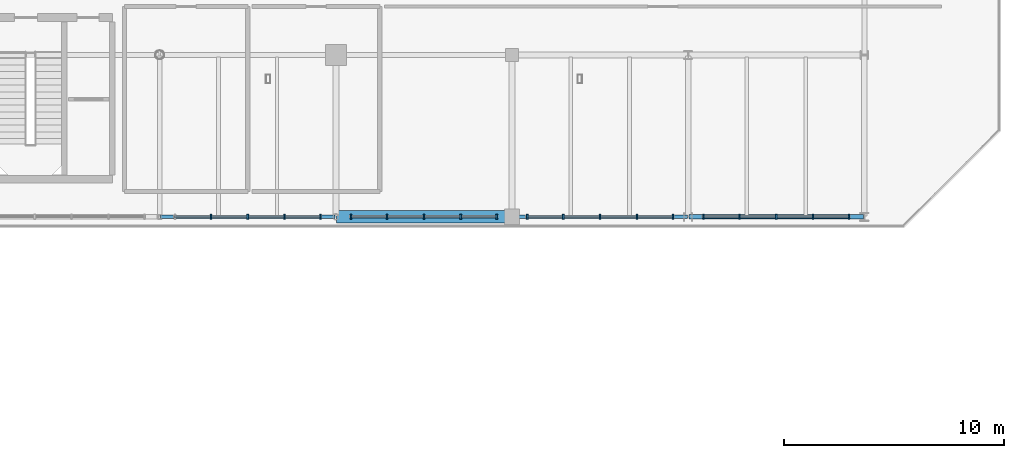
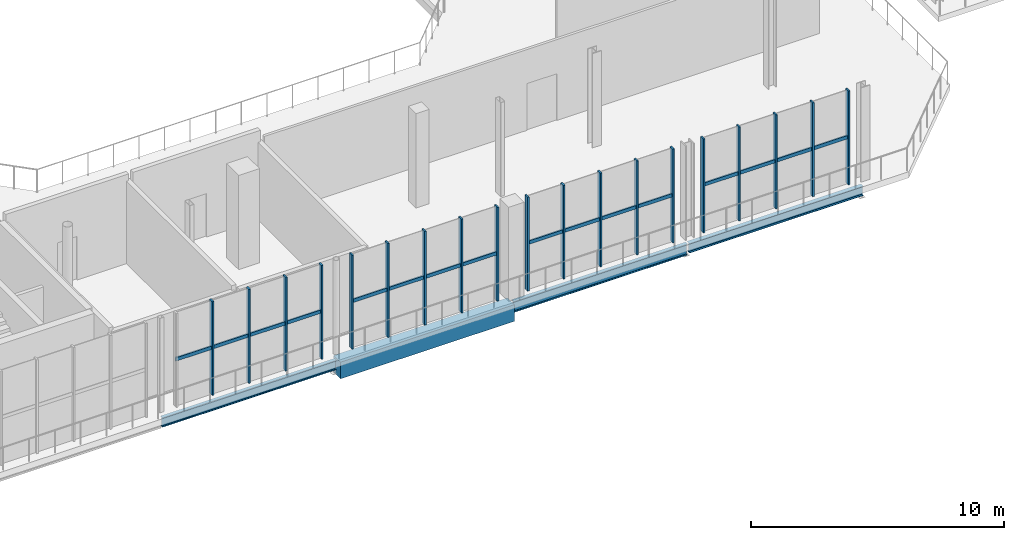
# One storey, part 28 of 70: 35 members, 4 beams, 4 elements without a shape of their own.
"""IFC4 building model written with IfcOpenShell, lengths in metres."""

from ifc_helpers import new_model, si_unit, direction, frame, origin, origin_2d, place, context, subcontext, project, spatial, rectangle, i_section, extrude, material, material_profile, profile_set, type_object, element, aggregate, save


model = new_model("IFC4")

# Units and contexts
model_context = context("Model", 3, precision=1e-05, world=origin(), true_north=direction((0.0, 1.0)))
body_context = subcontext(model_context, "Body", "Model", "MODEL_VIEW")
ifc_project = project(units=[si_unit("LENGTHUNIT", "METRE"), si_unit("AREAUNIT", "SQUARE_METRE"), si_unit("VOLUMEUNIT", "CUBIC_METRE"), si_unit("PLANEANGLEUNIT", "RADIAN"), si_unit("MASSUNIT", "GRAM", prefix="KILO")], contexts=[model_context])

# Site, building, storey
site_placement = place(None, origin())
site = spatial("IfcSite", under=ifc_project, at=site_placement, CompositionType="ELEMENT")
building_placement = place(site_placement, origin())
building = spatial("IfcBuilding", under=site, at=building_placement, Name="Brisemont Oceanarium", CompositionType="ELEMENT")
storey_placement = place(building_placement, frame((0.0, 0.0, 10.199951171875)))
storey = spatial("IfcBuildingStorey", under=building, at=storey_placement, Name="L02", CompositionType="ELEMENT", Elevation=10.199951171875)

# Beams
ifc_material_1 = material(Name="Concrete C40/50", Category="concrete")
ifc_material_profile_1 = material_profile(ifc_material_1, rectangle(XDim=0.550048828125, YDim=0.800048828125, at=origin_2d()), Name="RC-BM-550X800")
ifc_profile_set_1 = profile_set([ifc_material_profile_1], Name="Concrete C40/50")
beam_type_1 = type_object("IfcBeamType", Name="BM-RC550X800", PredefinedType="SPANDREL", material=ifc_profile_set_1)
beam_1_placement = place(storey_placement, frame((80.0400390625, 32.64990234375, -0.699951171875), z_axis=(1.0, 0.0, 0.0), x_axis=(0.0, 1.0, 0.0)))
element("IfcBeam", 1, at=beam_1_placement, inside=storey, type_object=beam_type_1, Name="V1 L02 EW girder", PredefinedType="SPANDREL", context=body_context, shape_type="SweptSolid", body=[
    extrude(rectangle(XDim=0.550048828125, YDim=0.800048828125, at=origin_2d()), origin(), (0.0, 0.0, 1.0), 7.919921875),
])
ifc_material_2 = material(Name="Structural Steel ASTM A992 Gr.50", Category="steel")
ifc_material_profile_2 = material_profile(ifc_material_2, i_section(OverallWidth=0.154052734375, OverallDepth=0.458984375, WebThickness=0.009033203125, FlangeThickness=0.015380859375, FilletRadius=0.010986328125, at=origin_2d()), Name="W18X46")
ifc_profile_set_2 = profile_set([ifc_material_profile_2], Name="Structural Steel ASTM A992 Gr.50")
beam_type_2 = type_object("IfcBeamType", Name="BM-W18X46", PredefinedType="SPANDREL", material=ifc_profile_set_2)
beam_2_placement = place(storey_placement, frame((72.0400390625, 32.64990234375, -0.529541015625), z_axis=(1.0, 0.0, 0.0), x_axis=(0.0, 1.0, 0.0)))
element("IfcBeam", 2, at=beam_2_placement, inside=storey, type_object=beam_type_2, Name="V1 L02 EW girder", PredefinedType="SPANDREL", context=body_context, shape_type="SweptSolid", body=[
    extrude(i_section(OverallWidth=0.154052734375, OverallDepth=0.458984375, WebThickness=0.009033203125, FlangeThickness=0.015380859375, FilletRadius=0.010986328125, at=origin_2d()), origin(), (0.0, 0.0, 1.0), 7.919921875),
])
ifc_material_3 = material(Name="Structural Steel ASTM A992 Gr.50", Category="steel")
ifc_material_profile_3 = material_profile(ifc_material_3, i_section(OverallWidth=0.19091796875, OverallDepth=0.4599609375, WebThickness=0.010009765625, FlangeThickness=0.01611328125, FilletRadius=0.010986328125, at=origin_2d()), Name="W18X55")
ifc_profile_set_3 = profile_set([ifc_material_profile_3], Name="Structural Steel ASTM A992 Gr.50")
beam_type_3 = type_object("IfcBeamType", Name="BM-W18X55", PredefinedType="SPANDREL", material=ifc_profile_set_3)
beam_3_placement = place(storey_placement, frame((96.0400390625, 32.64990234375, -0.530029296875), z_axis=(1.0, 0.0, 0.0), x_axis=(0.0, 1.0, 0.0)))
element("IfcBeam", 3, at=beam_3_placement, inside=storey, type_object=beam_type_3, Name="V1 L02 EW girder", PredefinedType="SPANDREL", context=body_context, shape_type="SweptSolid", body=[
    extrude(i_section(OverallWidth=0.19091796875, OverallDepth=0.4599609375, WebThickness=0.010009765625, FlangeThickness=0.01611328125, FilletRadius=0.010986328125, at=origin_2d()), origin(), (0.0, 0.0, 1.0), 7.919921875),
])
ifc_material_4 = material(Name="Structural Steel ASTM A992 Gr.50", Category="steel")
ifc_material_profile_4 = material_profile(ifc_material_4, i_section(OverallWidth=0.166015625, OverallDepth=0.528076171875, WebThickness=0.009765625, FlangeThickness=0.013671875, FilletRadius=0.012939453125, at=origin_2d()), Name="W21X50")
ifc_profile_set_4 = profile_set([ifc_material_profile_4], Name="Structural Steel ASTM A992 Gr.50")
beam_type_4 = type_object("IfcBeamType", Name="BM-W21X50", PredefinedType="SPANDREL", material=ifc_profile_set_4)
beam_4_placement = place(storey_placement, frame((88.0400390625, 32.64990234375, -0.56396484375), z_axis=(1.0, 0.0, 0.0), x_axis=(0.0, 1.0, 0.0)))
element("IfcBeam", 4, at=beam_4_placement, inside=storey, type_object=beam_type_4, Name="V1 L02 EW girder", PredefinedType="SPANDREL", context=body_context, shape_type="SweptSolid", body=[
    extrude(i_section(OverallWidth=0.166015625, OverallDepth=0.528076171875, WebThickness=0.009765625, FlangeThickness=0.013671875, FilletRadius=0.012939453125, at=origin_2d()), origin(), (0.0, 0.0, 1.0), 7.919921875),
])

# Curtain wall, members
ifc_material_5 = material(Name="Anodized Extruded Aluminum 6063-T6", Category="aluminium")
curtain_wall_type = type_object("IfcCurtainWallType", Name="CW-ROT-69X45", PredefinedType="NOTDEFINED", material=ifc_material_5)
curtain_wall_1_placement = place(storey_placement, origin())
curtain_wall_1 = element("IfcCurtainWall", 5, at=curtain_wall_1_placement, inside=storey, type_object=curtain_wall_type, Name="CW-02 curtain wall CW-V1-S-L02-02", PredefinedType="NOTDEFINED")
ifc_material_6 = material(Name="Anodized Extruded Aluminum 6063-T6", Category="aluminium")
ifc_material_profile_5 = material_profile(ifc_material_6, rectangle(XDim=0.074951171875, YDim=0.219970703125, at=origin_2d()), Name="CWM-75X220")
ifc_profile_set_5 = profile_set([ifc_material_profile_5], Name="Anodized Extruded Aluminum 6063-T6")
member_type_1 = type_object("IfcMemberType", Name="MEM-CWM-75", PredefinedType="MULLION", material=ifc_profile_set_5)
member_1_placement = place(storey_placement, frame((74.324951171875, 32.64990234375, 0.0), z_axis=(0.0, 0.0, 1.0), x_axis=(1.0, 0.0, 0.0)))
member_1 = element("IfcMember", 6, at=member_1_placement, type_object=member_type_1, Name="CW-V1-S-L02-02 mullion 2", PredefinedType="MULLION", context=body_context, shape_type="SweptSolid", body=[
    extrude(rectangle(XDim=0.074951171875, YDim=0.219970703125, at=origin_2d()), origin(), (0.0, 0.0, 1.0), 4.52001953125),
])
member_2_placement = place(storey_placement, frame((76.0, 32.64990234375, 0.0), z_axis=(0.0, 0.0, 1.0), x_axis=(1.0, 0.0, 0.0)))
member_2 = element("IfcMember", 7, at=member_2_placement, type_object=member_type_1, Name="CW-V1-S-L02-02 mullion 3", PredefinedType="MULLION", context=body_context, shape_type="SweptSolid", body=[
    extrude(rectangle(XDim=0.074951171875, YDim=0.219970703125, at=origin_2d()), origin(), (0.0, 0.0, 1.0), 4.52001953125),
])
member_3_placement = place(storey_placement, frame((77.675048828125, 32.64990234375, 0.0), z_axis=(0.0, 0.0, 1.0), x_axis=(1.0, 0.0, 0.0)))
member_3 = element("IfcMember", 8, at=member_3_placement, type_object=member_type_1, Name="CW-V1-S-L02-02 mullion 4", PredefinedType="MULLION", context=body_context, shape_type="SweptSolid", body=[
    extrude(rectangle(XDim=0.074951171875, YDim=0.219970703125, at=origin_2d()), origin(), (0.0, 0.0, 1.0), 4.52001953125),
])
member_4_placement = place(storey_placement, frame((79.304931640625, 32.64990234375, 0.0), z_axis=(0.0, 0.0, 1.0), x_axis=(1.0, 0.0, 0.0)))
member_4 = element("IfcMember", 9, at=member_4_placement, type_object=member_type_1, Name="CW-V1-S-L02-02 mullion 5", PredefinedType="MULLION", context=body_context, shape_type="SweptSolid", body=[
    extrude(rectangle(XDim=0.074951171875, YDim=0.219970703125, at=origin_2d()), origin(), (0.0, 0.0, 1.0), 4.52001953125),
])

curtain_wall_2_placement = place(storey_placement, origin())
curtain_wall_2 = element("IfcCurtainWall", 10, at=curtain_wall_2_placement, inside=storey, type_object=curtain_wall_type, Name="CW-02 curtain wall CW-V1-S-L02-03", PredefinedType="NOTDEFINED")
member_5_placement = place(storey_placement, frame((80.695068359375, 32.64990234375, 0.0), z_axis=(0.0, 0.0, 1.0), x_axis=(1.0, 0.0, 0.0)))
member_5 = element("IfcMember", 11, at=member_5_placement, type_object=member_type_1, Name="CW-V1-S-L02-03 mullion 1", PredefinedType="MULLION", context=body_context, shape_type="SweptSolid", body=[
    extrude(rectangle(XDim=0.074951171875, YDim=0.219970703125, at=origin_2d()), origin(), (0.0, 0.0, 1.0), 4.52001953125),
])
member_6_placement = place(storey_placement, frame((82.324951171875, 32.64990234375, 0.0), z_axis=(0.0, 0.0, 1.0), x_axis=(1.0, 0.0, 0.0)))
member_6 = element("IfcMember", 12, at=member_6_placement, type_object=member_type_1, Name="CW-V1-S-L02-03 mullion 2", PredefinedType="MULLION", context=body_context, shape_type="SweptSolid", body=[
    extrude(rectangle(XDim=0.074951171875, YDim=0.219970703125, at=origin_2d()), origin(), (0.0, 0.0, 1.0), 4.52001953125),
])
member_7_placement = place(storey_placement, frame((84.0, 32.64990234375, 0.0), z_axis=(0.0, 0.0, 1.0), x_axis=(1.0, 0.0, 0.0)))
member_7 = element("IfcMember", 13, at=member_7_placement, type_object=member_type_1, Name="CW-V1-S-L02-03 mullion 3", PredefinedType="MULLION", context=body_context, shape_type="SweptSolid", body=[
    extrude(rectangle(XDim=0.074951171875, YDim=0.219970703125, at=origin_2d()), origin(), (0.0, 0.0, 1.0), 4.52001953125),
])
member_8_placement = place(storey_placement, frame((85.675048828125, 32.64990234375, 0.0), z_axis=(0.0, 0.0, 1.0), x_axis=(1.0, 0.0, 0.0)))
member_8 = element("IfcMember", 14, at=member_8_placement, type_object=member_type_1, Name="CW-V1-S-L02-03 mullion 4", PredefinedType="MULLION", context=body_context, shape_type="SweptSolid", body=[
    extrude(rectangle(XDim=0.074951171875, YDim=0.219970703125, at=origin_2d()), origin(), (0.0, 0.0, 1.0), 4.52001953125),
])
member_9_placement = place(storey_placement, frame((87.304931640625, 32.64990234375, 0.0), z_axis=(0.0, 0.0, 1.0), x_axis=(1.0, 0.0, 0.0)))
member_9 = element("IfcMember", 15, at=member_9_placement, type_object=member_type_1, Name="CW-V1-S-L02-03 mullion 5", PredefinedType="MULLION", context=body_context, shape_type="SweptSolid", body=[
    extrude(rectangle(XDim=0.074951171875, YDim=0.219970703125, at=origin_2d()), origin(), (0.0, 0.0, 1.0), 4.52001953125),
])

curtain_wall_3_placement = place(storey_placement, origin())
curtain_wall_3 = element("IfcCurtainWall", 16, at=curtain_wall_3_placement, inside=storey, type_object=curtain_wall_type, Name="CW-02 curtain wall CW-V1-S-L02-04", PredefinedType="NOTDEFINED")
member_10_placement = place(storey_placement, frame((88.695068359375, 32.64990234375, 0.0), z_axis=(0.0, 0.0, 1.0), x_axis=(1.0, 0.0, 0.0)))
member_10 = element("IfcMember", 17, at=member_10_placement, type_object=member_type_1, Name="CW-V1-S-L02-04 mullion 1", PredefinedType="MULLION", context=body_context, shape_type="SweptSolid", body=[
    extrude(rectangle(XDim=0.074951171875, YDim=0.219970703125, at=origin_2d()), origin(), (0.0, 0.0, 1.0), 4.52001953125),
])
member_11_placement = place(storey_placement, frame((90.324951171875, 32.64990234375, 0.0), z_axis=(0.0, 0.0, 1.0), x_axis=(1.0, 0.0, 0.0)))
member_11 = element("IfcMember", 18, at=member_11_placement, type_object=member_type_1, Name="CW-V1-S-L02-04 mullion 2", PredefinedType="MULLION", context=body_context, shape_type="SweptSolid", body=[
    extrude(rectangle(XDim=0.074951171875, YDim=0.219970703125, at=origin_2d()), origin(), (0.0, 0.0, 1.0), 4.52001953125),
])
member_12_placement = place(storey_placement, frame((92.0, 32.64990234375, 0.0), z_axis=(0.0, 0.0, 1.0), x_axis=(1.0, 0.0, 0.0)))
member_12 = element("IfcMember", 19, at=member_12_placement, type_object=member_type_1, Name="CW-V1-S-L02-04 mullion 3", PredefinedType="MULLION", context=body_context, shape_type="SweptSolid", body=[
    extrude(rectangle(XDim=0.074951171875, YDim=0.219970703125, at=origin_2d()), origin(), (0.0, 0.0, 1.0), 4.52001953125),
])
member_13_placement = place(storey_placement, frame((93.675048828125, 32.64990234375, 0.0), z_axis=(0.0, 0.0, 1.0), x_axis=(1.0, 0.0, 0.0)))
member_13 = element("IfcMember", 20, at=member_13_placement, type_object=member_type_1, Name="CW-V1-S-L02-04 mullion 4", PredefinedType="MULLION", context=body_context, shape_type="SweptSolid", body=[
    extrude(rectangle(XDim=0.074951171875, YDim=0.219970703125, at=origin_2d()), origin(), (0.0, 0.0, 1.0), 4.52001953125),
])
member_14_placement = place(storey_placement, frame((95.304931640625, 32.64990234375, 0.0), z_axis=(0.0, 0.0, 1.0), x_axis=(1.0, 0.0, 0.0)))
member_14 = element("IfcMember", 21, at=member_14_placement, type_object=member_type_1, Name="CW-V1-S-L02-04 mullion 5", PredefinedType="MULLION", context=body_context, shape_type="SweptSolid", body=[
    extrude(rectangle(XDim=0.074951171875, YDim=0.219970703125, at=origin_2d()), origin(), (0.0, 0.0, 1.0), 4.52001953125),
])

curtain_wall_4_placement = place(storey_placement, origin())
curtain_wall_4 = element("IfcCurtainWall", 22, at=curtain_wall_4_placement, inside=storey, type_object=curtain_wall_type, Name="CW-02 curtain wall CW-V1-S-L02-05", PredefinedType="NOTDEFINED")
member_15_placement = place(storey_placement, frame((96.695068359375, 32.64990234375, 0.0), z_axis=(0.0, 0.0, 1.0), x_axis=(1.0, 0.0, 0.0)))
member_15 = element("IfcMember", 23, at=member_15_placement, type_object=member_type_1, Name="CW-V1-S-L02-05 mullion 1", PredefinedType="MULLION", context=body_context, shape_type="SweptSolid", body=[
    extrude(rectangle(XDim=0.074951171875, YDim=0.219970703125, at=origin_2d()), origin(), (0.0, 0.0, 1.0), 4.52001953125),
])
member_16_placement = place(storey_placement, frame((98.324951171875, 32.64990234375, 0.0), z_axis=(0.0, 0.0, 1.0), x_axis=(1.0, 0.0, 0.0)))
member_16 = element("IfcMember", 24, at=member_16_placement, type_object=member_type_1, Name="CW-V1-S-L02-05 mullion 2", PredefinedType="MULLION", context=body_context, shape_type="SweptSolid", body=[
    extrude(rectangle(XDim=0.074951171875, YDim=0.219970703125, at=origin_2d()), origin(), (0.0, 0.0, 1.0), 4.52001953125),
])
member_17_placement = place(storey_placement, frame((100.0, 32.64990234375, 0.0), z_axis=(0.0, 0.0, 1.0), x_axis=(1.0, 0.0, 0.0)))
member_17 = element("IfcMember", 25, at=member_17_placement, type_object=member_type_1, Name="CW-V1-S-L02-05 mullion 3", PredefinedType="MULLION", context=body_context, shape_type="SweptSolid", body=[
    extrude(rectangle(XDim=0.074951171875, YDim=0.219970703125, at=origin_2d()), origin(), (0.0, 0.0, 1.0), 4.52001953125),
])
member_18_placement = place(storey_placement, frame((101.675048828125, 32.64990234375, 0.0), z_axis=(0.0, 0.0, 1.0), x_axis=(1.0, 0.0, 0.0)))
member_18 = element("IfcMember", 26, at=member_18_placement, type_object=member_type_1, Name="CW-V1-S-L02-05 mullion 4", PredefinedType="MULLION", context=body_context, shape_type="SweptSolid", body=[
    extrude(rectangle(XDim=0.074951171875, YDim=0.219970703125, at=origin_2d()), origin(), (0.0, 0.0, 1.0), 4.52001953125),
])
member_19_placement = place(storey_placement, frame((103.304931640625, 32.64990234375, 0.0), z_axis=(0.0, 0.0, 1.0), x_axis=(1.0, 0.0, 0.0)))
member_19 = element("IfcMember", 27, at=member_19_placement, type_object=member_type_1, Name="CW-V1-S-L02-05 mullion 5", PredefinedType="MULLION", context=body_context, shape_type="SweptSolid", body=[
    extrude(rectangle(XDim=0.074951171875, YDim=0.219970703125, at=origin_2d()), origin(), (0.0, 0.0, 1.0), 4.52001953125),
])

# Member
ifc_material_7 = material(Name="Anodized Extruded Aluminum 6063-T6", Category="aluminium")
ifc_material_profile_6 = material_profile(ifc_material_7, rectangle(XDim=0.074951171875, YDim=0.1650390625, at=origin_2d()), Name="CWT-75X165")
ifc_profile_set_6 = profile_set([ifc_material_profile_6], Name="Anodized Extruded Aluminum 6063-T6")
member_type_2 = type_object("IfcMemberType", Name="MEM-CWT-75", PredefinedType="USERDEFINED", material=ifc_profile_set_6)
member_20_placement = place(storey_placement, frame((72.6650390625, 32.64990234375, 2.260009765625), z_axis=(1.0, 0.0, 0.0), x_axis=(0.0, 1.0, 0.0)))
member_20 = element("IfcMember", 28, at=member_20_placement, type_object=member_type_2, Name="CW-V1-S-L02-02 transom 1.1", ObjectType="TRANSOM", PredefinedType="USERDEFINED", context=body_context, shape_type="SweptSolid", body=[
    extrude(rectangle(XDim=0.074951171875, YDim=0.1650390625, at=origin_2d()), origin(), (0.0, 0.0, 1.0), 1.64501953125),
])

member_21_placement = place(storey_placement, frame((74.340087890625, 32.64990234375, 2.260009765625), z_axis=(1.0, 0.0, 0.0), x_axis=(0.0, 1.0, 0.0)))
member_21 = element("IfcMember", 29, at=member_21_placement, type_object=member_type_2, Name="CW-V1-S-L02-02 transom 2.1", ObjectType="TRANSOM", PredefinedType="USERDEFINED", context=body_context, shape_type="SweptSolid", body=[
    extrude(rectangle(XDim=0.074951171875, YDim=0.1650390625, at=origin_2d()), origin(), (0.0, 0.0, 1.0), 1.64501953125),
])

member_22_placement = place(storey_placement, frame((76.014892578125, 32.64990234375, 2.260009765625), z_axis=(1.0, 0.0, 0.0), x_axis=(0.0, 1.0, 0.0)))
member_22 = element("IfcMember", 30, at=member_22_placement, type_object=member_type_2, Name="CW-V1-S-L02-02 transom 3.1", ObjectType="TRANSOM", PredefinedType="USERDEFINED", context=body_context, shape_type="SweptSolid", body=[
    extrude(rectangle(XDim=0.074951171875, YDim=0.1650390625, at=origin_2d()), origin(), (0.0, 0.0, 1.0), 1.64501953125),
])

member_23_placement = place(storey_placement, frame((77.68994140625, 32.64990234375, 2.260009765625), z_axis=(1.0, 0.0, 0.0), x_axis=(0.0, 1.0, 0.0)))
member_23 = element("IfcMember", 31, at=member_23_placement, type_object=member_type_2, Name="CW-V1-S-L02-02 transom 4.1", ObjectType="TRANSOM", PredefinedType="USERDEFINED", context=body_context, shape_type="SweptSolid", body=[
    extrude(rectangle(XDim=0.074951171875, YDim=0.1650390625, at=origin_2d()), origin(), (0.0, 0.0, 1.0), 1.64501953125),
])

aggregate(curtain_wall_1, [member_1, member_2, member_3, member_4, member_20, member_21, member_22, member_23])

member_24_placement = place(storey_placement, frame((80.6650390625, 32.64990234375, 2.260009765625), z_axis=(1.0, 0.0, 0.0), x_axis=(0.0, 1.0, 0.0)))
member_24 = element("IfcMember", 32, at=member_24_placement, type_object=member_type_2, Name="CW-V1-S-L02-03 transom 1.1", ObjectType="TRANSOM", PredefinedType="USERDEFINED", context=body_context, shape_type="SweptSolid", body=[
    extrude(rectangle(XDim=0.074951171875, YDim=0.1650390625, at=origin_2d()), origin(), (0.0, 0.0, 1.0), 1.64501953125),
])

member_25_placement = place(storey_placement, frame((82.340087890625, 32.64990234375, 2.260009765625), z_axis=(1.0, 0.0, 0.0), x_axis=(0.0, 1.0, 0.0)))
member_25 = element("IfcMember", 33, at=member_25_placement, type_object=member_type_2, Name="CW-V1-S-L02-03 transom 2.1", ObjectType="TRANSOM", PredefinedType="USERDEFINED", context=body_context, shape_type="SweptSolid", body=[
    extrude(rectangle(XDim=0.074951171875, YDim=0.1650390625, at=origin_2d()), origin(), (0.0, 0.0, 1.0), 1.64501953125),
])

member_26_placement = place(storey_placement, frame((84.014892578125, 32.64990234375, 2.260009765625), z_axis=(1.0, 0.0, 0.0), x_axis=(0.0, 1.0, 0.0)))
member_26 = element("IfcMember", 34, at=member_26_placement, type_object=member_type_2, Name="CW-V1-S-L02-03 transom 3.1", ObjectType="TRANSOM", PredefinedType="USERDEFINED", context=body_context, shape_type="SweptSolid", body=[
    extrude(rectangle(XDim=0.074951171875, YDim=0.1650390625, at=origin_2d()), origin(), (0.0, 0.0, 1.0), 1.64501953125),
])

member_27_placement = place(storey_placement, frame((85.68994140625, 32.64990234375, 2.260009765625), z_axis=(1.0, 0.0, 0.0), x_axis=(0.0, 1.0, 0.0)))
member_27 = element("IfcMember", 35, at=member_27_placement, type_object=member_type_2, Name="CW-V1-S-L02-03 transom 4.1", ObjectType="TRANSOM", PredefinedType="USERDEFINED", context=body_context, shape_type="SweptSolid", body=[
    extrude(rectangle(XDim=0.074951171875, YDim=0.1650390625, at=origin_2d()), origin(), (0.0, 0.0, 1.0), 1.64501953125),
])

aggregate(curtain_wall_2, [member_5, member_6, member_7, member_8, member_9, member_24, member_25, member_26, member_27])

member_28_placement = place(storey_placement, frame((88.6650390625, 32.64990234375, 2.260009765625), z_axis=(1.0, 0.0, 0.0), x_axis=(0.0, 1.0, 0.0)))
member_28 = element("IfcMember", 36, at=member_28_placement, type_object=member_type_2, Name="CW-V1-S-L02-04 transom 1.1", ObjectType="TRANSOM", PredefinedType="USERDEFINED", context=body_context, shape_type="SweptSolid", body=[
    extrude(rectangle(XDim=0.074951171875, YDim=0.1650390625, at=origin_2d()), origin(), (0.0, 0.0, 1.0), 1.64501953125),
])

member_29_placement = place(storey_placement, frame((90.340087890625, 32.64990234375, 2.260009765625), z_axis=(1.0, 0.0, 0.0), x_axis=(0.0, 1.0, 0.0)))
member_29 = element("IfcMember", 37, at=member_29_placement, type_object=member_type_2, Name="CW-V1-S-L02-04 transom 2.1", ObjectType="TRANSOM", PredefinedType="USERDEFINED", context=body_context, shape_type="SweptSolid", body=[
    extrude(rectangle(XDim=0.074951171875, YDim=0.1650390625, at=origin_2d()), origin(), (0.0, 0.0, 1.0), 1.64501953125),
])

member_30_placement = place(storey_placement, frame((92.014892578125, 32.64990234375, 2.260009765625), z_axis=(1.0, 0.0, 0.0), x_axis=(0.0, 1.0, 0.0)))
member_30 = element("IfcMember", 38, at=member_30_placement, type_object=member_type_2, Name="CW-V1-S-L02-04 transom 3.1", ObjectType="TRANSOM", PredefinedType="USERDEFINED", context=body_context, shape_type="SweptSolid", body=[
    extrude(rectangle(XDim=0.074951171875, YDim=0.1650390625, at=origin_2d()), origin(), (0.0, 0.0, 1.0), 1.64501953125),
])

member_31_placement = place(storey_placement, frame((93.68994140625, 32.64990234375, 2.260009765625), z_axis=(1.0, 0.0, 0.0), x_axis=(0.0, 1.0, 0.0)))
member_31 = element("IfcMember", 39, at=member_31_placement, type_object=member_type_2, Name="CW-V1-S-L02-04 transom 4.1", ObjectType="TRANSOM", PredefinedType="USERDEFINED", context=body_context, shape_type="SweptSolid", body=[
    extrude(rectangle(XDim=0.074951171875, YDim=0.1650390625, at=origin_2d()), origin(), (0.0, 0.0, 1.0), 1.64501953125),
])

aggregate(curtain_wall_3, [member_10, member_11, member_12, member_13, member_14, member_28, member_29, member_30, member_31])

member_32_placement = place(storey_placement, frame((96.6650390625, 32.64990234375, 2.260009765625), z_axis=(1.0, 0.0, 0.0), x_axis=(0.0, 1.0, 0.0)))
member_32 = element("IfcMember", 40, at=member_32_placement, type_object=member_type_2, Name="CW-V1-S-L02-05 transom 1.1", ObjectType="TRANSOM", PredefinedType="USERDEFINED", context=body_context, shape_type="SweptSolid", body=[
    extrude(rectangle(XDim=0.074951171875, YDim=0.1650390625, at=origin_2d()), origin(), (0.0, 0.0, 1.0), 1.64501953125),
])

member_33_placement = place(storey_placement, frame((98.340087890625, 32.64990234375, 2.260009765625), z_axis=(1.0, 0.0, 0.0), x_axis=(0.0, 1.0, 0.0)))
member_33 = element("IfcMember", 41, at=member_33_placement, type_object=member_type_2, Name="CW-V1-S-L02-05 transom 2.1", ObjectType="TRANSOM", PredefinedType="USERDEFINED", context=body_context, shape_type="SweptSolid", body=[
    extrude(rectangle(XDim=0.074951171875, YDim=0.1650390625, at=origin_2d()), origin(), (0.0, 0.0, 1.0), 1.64501953125),
])

member_34_placement = place(storey_placement, frame((100.014892578125, 32.64990234375, 2.260009765625), z_axis=(1.0, 0.0, 0.0), x_axis=(0.0, 1.0, 0.0)))
member_34 = element("IfcMember", 42, at=member_34_placement, type_object=member_type_2, Name="CW-V1-S-L02-05 transom 3.1", ObjectType="TRANSOM", PredefinedType="USERDEFINED", context=body_context, shape_type="SweptSolid", body=[
    extrude(rectangle(XDim=0.074951171875, YDim=0.1650390625, at=origin_2d()), origin(), (0.0, 0.0, 1.0), 1.64501953125),
])

member_35_placement = place(storey_placement, frame((101.68994140625, 32.64990234375, 2.260009765625), z_axis=(1.0, 0.0, 0.0), x_axis=(0.0, 1.0, 0.0)))
member_35 = element("IfcMember", 43, at=member_35_placement, type_object=member_type_2, Name="CW-V1-S-L02-05 transom 4.1", ObjectType="TRANSOM", PredefinedType="USERDEFINED", context=body_context, shape_type="SweptSolid", body=[
    extrude(rectangle(XDim=0.074951171875, YDim=0.1650390625, at=origin_2d()), origin(), (0.0, 0.0, 1.0), 1.64501953125),
])

aggregate(curtain_wall_4, [member_15, member_16, member_17, member_18, member_19, member_32, member_33, member_34, member_35])

save(model, "model.ifc")
